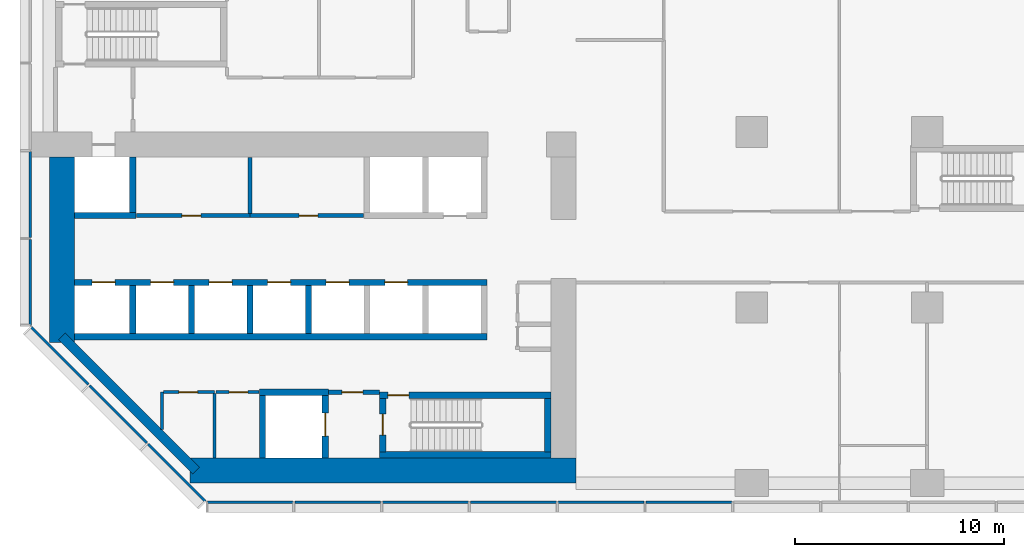
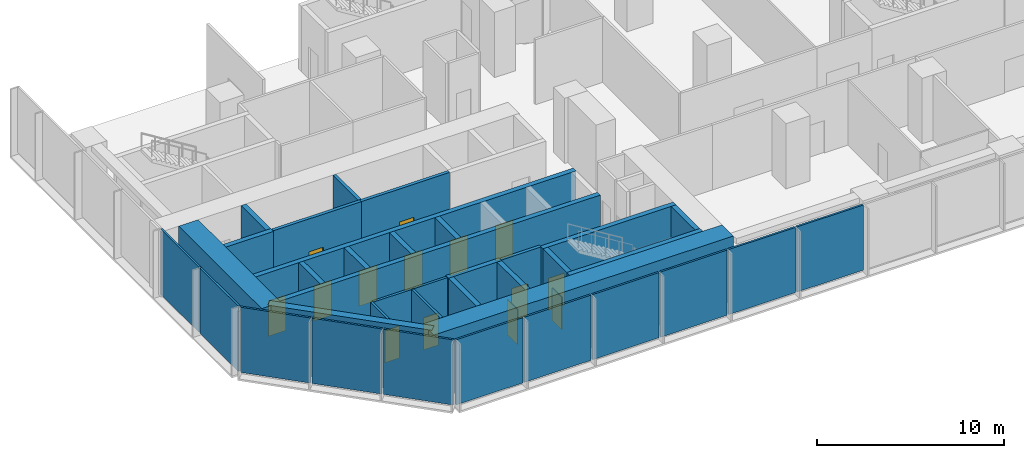
# One storey, part 9 of 18: 37 walls, 14 doors, 14 openings.
"""IFC4 building model written with IfcOpenShell, lengths in metres."""

from ifc_helpers import new_model, si_unit, direction, frame, frame_2d, origin, place, context, subcontext, project, spatial, polyline, rectangle, outline, extrude, material, layer, layer_set, type_object, element, fill, save


model = new_model("IFC4")

# Units and contexts
model_context = context("Model", 3, precision=1e-05, world=origin(), true_north=direction((0.0, 1.0)))
body_context = subcontext(model_context, "Body", "Model", "MODEL_VIEW")
ifc_project = project(units=[si_unit("LENGTHUNIT", "METRE"), si_unit("AREAUNIT", "SQUARE_METRE"), si_unit("VOLUMEUNIT", "CUBIC_METRE"), si_unit("PLANEANGLEUNIT", "RADIAN"), si_unit("MASSUNIT", "GRAM", prefix="KILO")], contexts=[model_context])

# Site, building, storey
site_placement = place(None, origin())
site = spatial("IfcSite", under=ifc_project, at=site_placement, CompositionType="ELEMENT")
building_placement = place(site_placement, origin())
building = spatial("IfcBuilding", under=site, at=building_placement, Name="Brevane Broadcast Tower", CompositionType="ELEMENT")
storey_placement = place(building_placement, frame((0.0, 0.0, 27.5)))
storey = spatial("IfcBuildingStorey", under=building, at=storey_placement, Name="L04", CompositionType="ELEMENT", Elevation=27.5)

# Wall
ifc_material_1 = material(Name="Gypsum board on steel studs", Category="steel")
ifc_layer_1 = layer(ifc_material_1, 0.14990234375)
ifc_layer_set_1 = layer_set([ifc_layer_1], Name="Core fire partition 150 mm")
wall_type_1 = type_object("IfcWallType", Name="Core fire partition 150 mm", PredefinedType="PARTITIONING", material=ifc_layer_set_1)
wall_1_placement = place(storey_placement, frame((5.39990234375, 2.553466796875, 0.0), z_axis=(0.0, 0.0, 1.0), x_axis=(0.0, 1.0, 0.0)))
element("IfcWall", 1, at=wall_1_placement, inside=storey, type_object=wall_type_1, Name="L04 partition wall P10", PredefinedType="PARTITIONING", context=body_context, shape_type="SweptSolid", body=[
    extrude(rectangle(XDim=1.796630859375, YDim=0.14990234375, at=frame_2d((0.8984375, 0.0))), origin(), (0.0, 0.0, 1.0), 4.25),
])

# Wall, opening, door
wall_2_placement = place(storey_placement, frame((5.47509765625, 4.35009765625, 0.0), z_axis=(0.0, 0.0, 1.0), x_axis=(1.0, 0.0, 0.0)))
wall_2 = element("IfcWall", 2, at=wall_2_placement, inside=storey, type_object=wall_type_1, Name="L04 partition wall P11", PredefinedType="PARTITIONING", context=body_context, shape_type="SweptSolid", body=[
    extrude(rectangle(XDim=2.4248046875, YDim=0.14990234375, at=frame_2d((1.21240234375, 0.0))), origin(), (0.0, 0.0, 1.0), 4.25),
])
opening_1_placement = place(wall_2_placement, frame((0.72509765625, 0.0, 0.0)))
opening_1 = element("IfcOpeningElement", 3, at=opening_1_placement, cuts=wall_2, Name="Opening L04-K19", PredefinedType="OPENING", context=body_context, shape_type="SweptSolid", body=[
    extrude(rectangle(XDim=0.89990234375, YDim=2.10009765625, at=frame_2d((0.449951171875, 1.050048828125))), frame((0.0, 0.0849609375, 0.0), z_axis=(0.0, -1.0, 0.0), x_axis=(1.0, 0.0, 0.0)), (0.0, 0.0, 1.0), 0.169921875),
])
ifc_material_2 = material(Name="Timber", Category="wood")
door_type_1 = type_object("IfcDoorType", Name="Toilet door 900 x 2100", OperationType="SINGLE_SWING_LEFT", PredefinedType="DOOR", material=ifc_material_2)
door_1_placement = place(opening_1_placement, origin())
door_1 = element("IfcDoor", 4, at=door_1_placement, inside=storey, type_object=door_type_1, Name="Door L04-K19", OperationType="SINGLE_SWING_LEFT", OverallHeight=2.10009765625, OverallWidth=0.89990234375, PredefinedType="DOOR", context=body_context, shape_type="SweptSolid", body=[
    extrude(rectangle(XDim=0.89990234375, YDim=2.10009765625, at=frame_2d((0.449951171875, 1.050048828125))), frame((0.0, 0.02490234375, 0.0), z_axis=(0.0, -1.0, 0.0), x_axis=(1.0, 0.0, 0.0)), (0.0, 0.0, 1.0), 0.050048828125),
])
fill(opening_1, door_1)

# Wall
wall_3_placement = place(storey_placement, frame((7.89990234375, 4.27490234375, 0.0), z_axis=(0.0, 0.0, 1.0), x_axis=(0.0, -1.0, 0.0)))
element("IfcWall", 5, at=wall_3_placement, inside=storey, type_object=wall_type_1, Name="L04 partition wall P12", PredefinedType="PARTITIONING", context=body_context, shape_type="SweptSolid", body=[
    extrude(rectangle(XDim=3.06298828125, YDim=0.14990234375, at=frame_2d((1.531494140625, 0.0))), origin(), (0.0, 0.0, 1.0), 4.25),
])

# Wall, opening, door
wall_4_placement = place(storey_placement, frame((10.0380859375, 4.35009765625, 0.0), z_axis=(0.0, 0.0, 1.0), x_axis=(-1.0, 0.0, 0.0)))
wall_4 = element("IfcWall", 6, at=wall_4_placement, inside=storey, type_object=wall_type_1, Name="L04 partition wall P13", PredefinedType="PARTITIONING", context=body_context, shape_type="SweptSolid", body=[
    extrude(rectangle(XDim=2.06298828125, YDim=0.14990234375, at=frame_2d((1.031494140625, 0.0))), origin(), (0.0, 0.0, 1.0), 4.25),
])
opening_2_placement = place(wall_4_placement, frame((0.5380859375, 0.0, 0.0)))
opening_2 = element("IfcOpeningElement", 7, at=opening_2_placement, cuts=wall_4, Name="Opening L04-K20", PredefinedType="OPENING", context=body_context, shape_type="SweptSolid", body=[
    extrude(rectangle(XDim=0.89990234375, YDim=2.10009765625, at=frame_2d((0.449951171875, 1.050048828125))), frame((0.0, 0.0849609375, 0.0), z_axis=(0.0, -1.0, 0.0), x_axis=(1.0, 0.0, 0.0)), (0.0, 0.0, 1.0), 0.169921875),
])
door_2_placement = place(opening_2_placement, origin())
door_2 = element("IfcDoor", 8, at=door_2_placement, inside=storey, type_object=door_type_1, Name="Door L04-K20", OperationType="SINGLE_SWING_RIGHT", OverallHeight=2.10009765625, OverallWidth=0.89990234375, PredefinedType="DOOR", context=body_context, shape_type="SweptSolid", body=[
    extrude(rectangle(XDim=0.89990234375, YDim=2.10009765625, at=frame_2d((0.449951171875, 1.050048828125))), frame((0.0, 0.02490234375, 0.0), z_axis=(0.0, -1.0, 0.0), x_axis=(1.0, 0.0, 0.0)), (0.0, 0.0, 1.0), 0.050048828125),
])
fill(opening_2, door_2)

ifc_layer_2 = layer(ifc_material_1, 0.199951171875)
ifc_layer_set_2 = layer_set([ifc_layer_2], Name="Core fire partition 200 mm")
wall_type_2 = type_object("IfcWallType", Name="Core fire partition 200 mm", PredefinedType="PARTITIONING", material=ifc_layer_set_2)
wall_5_placement = place(storey_placement, frame((13.362060546875, 4.35009765625, 0.0), z_axis=(0.0, 0.0, 1.0), x_axis=(1.0, 0.0, 0.0)))
wall_5 = element("IfcWall", 9, at=wall_5_placement, inside=storey, type_object=wall_type_2, Name="L04 partition wall P03", PredefinedType="PARTITIONING", context=body_context, shape_type="SweptSolid", body=[
    extrude(rectangle(XDim=2.426025390625, YDim=0.199951171875, at=frame_2d((1.212890625, 0.0))), origin(), (0.0, 0.0, 1.0), 4.25),
])
opening_3_placement = place(wall_5_placement, frame((0.637939453125, 0.0, 0.0)))
opening_3 = element("IfcOpeningElement", 10, at=opening_3_placement, cuts=wall_5, Name="Opening L04-K21", PredefinedType="OPENING", context=body_context, shape_type="SweptSolid", body=[
    extrude(rectangle(XDim=1.0, YDim=2.10009765625, at=frame_2d((0.5, 1.050048828125))), frame((0.0, 0.10986328125, 0.0), z_axis=(0.0, -1.0, 0.0), x_axis=(1.0, 0.0, 0.0)), (0.0, 0.0, 1.0), 0.219970703125),
])
ifc_material_3 = material(Name="Steel", Category="steel")
door_type_2 = type_object("IfcDoorType", Name="Stair door 1000 x 2100", OperationType="SINGLE_SWING_LEFT", PredefinedType="DOOR", material=ifc_material_3)
door_3_placement = place(opening_3_placement, origin())
door_3 = element("IfcDoor", 11, at=door_3_placement, inside=storey, type_object=door_type_2, Name="Door L04-K21", OperationType="SINGLE_SWING_LEFT", OverallHeight=2.10009765625, OverallWidth=1.0, PredefinedType="DOOR", context=body_context, shape_type="SweptSolid", body=[
    extrude(rectangle(XDim=1.0, YDim=2.10009765625, at=frame_2d((0.5, 1.050048828125))), frame((0.0, 0.02490234375, 0.0), z_axis=(0.0, -1.0, 0.0), x_axis=(1.0, 0.0, 0.0)), (0.0, 0.0, 1.0), 0.050048828125),
])
fill(opening_3, door_3)

wall_6_placement = place(storey_placement, frame((4.162109375, 12.800048828125, 0.0), z_axis=(0.0, 0.0, 1.0), x_axis=(1.0, 0.0, 0.0)))
wall_6 = element("IfcWall", 12, at=wall_6_placement, inside=storey, type_object=wall_type_2, Name="L04 partition wall P04", PredefinedType="PARTITIONING", context=body_context, shape_type="SweptSolid", body=[
    extrude(rectangle(XDim=5.43798828125, YDim=0.199951171875, at=frame_2d((2.718994140625, 0.0))), origin(), (0.0, 0.0, 1.0), 4.25),
])
opening_4_placement = place(wall_6_placement, frame((2.18798828125, 0.0, 0.0)))
opening_4 = element("IfcOpeningElement", 13, at=opening_4_placement, cuts=wall_6, Name="Opening L04-K24", PredefinedType="OPENING", context=body_context, shape_type="SweptSolid", body=[
    extrude(rectangle(XDim=0.89990234375, YDim=2.10009765625, at=frame_2d((0.449951171875, 1.050048828125))), frame((0.0, 0.10986328125, 0.0), z_axis=(0.0, -1.0, 0.0), x_axis=(1.0, 0.0, 0.0)), (0.0, 0.0, 1.0), 0.219970703125),
])
door_type_3 = type_object("IfcDoorType", Name="Service room door 900 x 2100", OperationType="SINGLE_SWING_LEFT", PredefinedType="DOOR", material=ifc_material_3)
door_4_placement = place(opening_4_placement, origin())
door_4 = element("IfcDoor", 14, at=door_4_placement, inside=storey, type_object=door_type_3, Name="Door L04-K24", OperationType="SINGLE_SWING_RIGHT", OverallHeight=2.10009765625, OverallWidth=0.89990234375, PredefinedType="DOOR", context=body_context, shape_type="SweptSolid", body=[
    extrude(rectangle(XDim=0.89990234375, YDim=2.10009765625, at=frame_2d((0.449951171875, 1.050048828125))), frame((0.0, 0.02490234375, 0.0), z_axis=(0.0, -1.0, 0.0), x_axis=(1.0, 0.0, 0.0)), (0.0, 0.0, 1.0), 0.050048828125),
])
fill(opening_4, door_4)

wall_7_placement = place(storey_placement, frame((9.60009765625, 12.800048828125, 0.0), z_axis=(0.0, 0.0, 1.0), x_axis=(1.0, 0.0, 0.0)))
wall_7 = element("IfcWall", 15, at=wall_7_placement, inside=storey, type_object=wall_type_2, Name="L04 partition wall P05", PredefinedType="PARTITIONING", context=body_context, shape_type="SweptSolid", body=[
    extrude(rectangle(XDim=5.43798828125, YDim=0.199951171875, at=frame_2d((2.718994140625, 0.0))), origin(), (0.0, 0.0, 1.0), 4.25),
])
opening_5_placement = place(wall_7_placement, frame((2.35009765625, 0.0, 0.0)))
opening_5 = element("IfcOpeningElement", 16, at=opening_5_placement, cuts=wall_7, Name="Opening L04-K25", PredefinedType="OPENING", context=body_context, shape_type="SweptSolid", body=[
    extrude(rectangle(XDim=0.89990234375, YDim=2.10009765625, at=frame_2d((0.449951171875, 1.050048828125))), frame((0.0, 0.10986328125, 0.0), z_axis=(0.0, -1.0, 0.0), x_axis=(1.0, 0.0, 0.0)), (0.0, 0.0, 1.0), 0.219970703125),
])
door_5_placement = place(opening_5_placement, origin())
door_5 = element("IfcDoor", 17, at=door_5_placement, inside=storey, type_object=door_type_3, Name="Door L04-K25", OperationType="SINGLE_SWING_LEFT", OverallHeight=2.10009765625, OverallWidth=0.89990234375, PredefinedType="DOOR", context=body_context, shape_type="SweptSolid", body=[
    extrude(rectangle(XDim=0.89990234375, YDim=2.10009765625, at=frame_2d((0.449951171875, 1.050048828125))), frame((0.0, 0.02490234375, 0.0), z_axis=(0.0, -1.0, 0.0), x_axis=(1.0, 0.0, 0.0)), (0.0, 0.0, 1.0), 0.050048828125),
])
fill(opening_5, door_5)

# Walls
wall_8_placement = place(storey_placement, frame((9.60009765625, 15.587890625, 0.0), z_axis=(0.0, 0.0, 1.0), x_axis=(0.0, -1.0, 0.0)))
element("IfcWall", 18, at=wall_8_placement, inside=storey, type_object=wall_type_2, Name="L04 partition wall P06", PredefinedType="PARTITIONING", context=body_context, shape_type="SweptSolid", body=[
    extrude(rectangle(XDim=2.68798828125, YDim=0.199951171875, at=frame_2d((1.343994140625, 0.0))), origin(), (0.0, 0.0, 1.0), 4.25),
])
ifc_material_4 = material(Name="Concrete C80/95", Category="concrete")
ifc_layer_3 = layer(ifc_material_4, 1.199951171875)
ifc_layer_set_3 = layer_set([ifc_layer_3], Name="Core wall 1200 mm C80/95")
wall_type_3 = type_object("IfcWallType", Name="Core wall 1200 mm C80/95", PredefinedType="SHEAR", material=ifc_layer_set_3)
wall_9_placement = place(storey_placement, frame((6.736328125, 0.60009765625, 0.0), z_axis=(0.0, 0.0, 1.0), x_axis=(1.0, 0.0, 0.0)))
element("IfcWall", 19, at=wall_9_placement, inside=storey, type_object=wall_type_3, Name="L04 outer wall WS", PredefinedType="SHEAR", context=body_context, shape_type="SweptSolid", body=[
    extrude(rectangle(XDim=18.463623046875, YDim=1.199951171875, at=frame_2d((9.23193359375, 0.0))), origin(), (0.0, 0.0, 1.0), 4.25),
])
wall_10_placement = place(storey_placement, frame((0.60009765625, 6.736328125, 0.0), z_axis=(0.0, 0.0, 1.0), x_axis=(0.0, 1.0, 0.0)))
element("IfcWall", 20, at=wall_10_placement, inside=storey, type_object=wall_type_3, Name="L04 outer wall WW", PredefinedType="SHEAR", context=body_context, shape_type="SweptSolid", body=[
    extrude(rectangle(XDim=8.86376953125, YDim=1.199951171875, at=frame_2d((4.431884765625, 0.0))), origin(), (0.0, 0.0, 1.0), 4.25),
])
ifc_layer_4 = layer(ifc_material_4, 0.300048828125)
ifc_layer_set_4 = layer_set([ifc_layer_4], Name="Core wall 300 mm C80/95")
wall_type_4 = type_object("IfcWallType", Name="Core wall 300 mm C80/95", PredefinedType="SHEAR", material=ifc_layer_set_4)
wall_11_placement = place(storey_placement, frame((1.199951171875, 7.0, 0.0), z_axis=(0.0, 0.0, 1.0), x_axis=(1.0, 0.0, 0.0)))
element("IfcWall", 21, at=wall_11_placement, inside=storey, type_object=wall_type_4, Name="L04 shaft wall SH-S012-back", PredefinedType="SHEAR", context=body_context, shape_type="SweptSolid", body=[
    extrude(rectangle(XDim=19.75, YDim=0.300048828125, at=frame_2d((9.875, 0.0))), origin(), (0.0, 0.0, 1.0), 4.25),
])

# Wall, openings, doors
wall_12_placement = place(storey_placement, frame((1.199951171875, 9.60009765625, 0.0), z_axis=(0.0, 0.0, 1.0), x_axis=(1.0, 0.0, 0.0)))
wall_12 = element("IfcWall", 22, at=wall_12_placement, inside=storey, type_object=wall_type_4, Name="L04 shaft wall SH-S012-front", PredefinedType="SHEAR", context=body_context, shape_type="SweptSolid", body=[
    extrude(rectangle(XDim=19.75, YDim=0.300048828125, at=frame_2d((9.875, 0.0))), origin(), (0.0, 0.0, 1.0), 4.25),
])
opening_6_placement = place(wall_12_placement, frame((0.85009765625, 0.0, 0.0)))
opening_6 = element("IfcOpeningElement", 23, at=opening_6_placement, cuts=wall_12, Name="Opening LD", PredefinedType="OPENING", context=body_context, shape_type="SweptSolid", body=[
    extrude(rectangle(XDim=1.10009765625, YDim=2.300048828125, at=frame_2d((0.550048828125, 1.14990234375))), frame((0.0, 0.159912109375, 0.0), z_axis=(0.0, -1.0, 0.0), x_axis=(1.0, 0.0, 0.0)), (0.0, 0.0, 1.0), 0.320068359375),
])
opening_7_placement = place(wall_12_placement, frame((3.64990234375, 0.0, 0.0)))
opening_7 = element("IfcOpeningElement", 24, at=opening_7_placement, cuts=wall_12, Name="Opening LD", PredefinedType="OPENING", context=body_context, shape_type="SweptSolid", body=[
    extrude(rectangle(XDim=1.10009765625, YDim=2.300048828125, at=frame_2d((0.550048828125, 1.14990234375))), frame((0.0, 0.159912109375, 0.0), z_axis=(0.0, -1.0, 0.0), x_axis=(1.0, 0.0, 0.0)), (0.0, 0.0, 1.0), 0.320068359375),
])
opening_8_placement = place(wall_12_placement, frame((6.449951171875, 0.0, 0.0)))
opening_8 = element("IfcOpeningElement", 25, at=opening_8_placement, cuts=wall_12, Name="Opening LD", PredefinedType="OPENING", context=body_context, shape_type="SweptSolid", body=[
    extrude(rectangle(XDim=1.10009765625, YDim=2.300048828125, at=frame_2d((0.550048828125, 1.14990234375))), frame((0.0, 0.159912109375, 0.0), z_axis=(0.0, -1.0, 0.0), x_axis=(1.0, 0.0, 0.0)), (0.0, 0.0, 1.0), 0.320068359375),
])
opening_9_placement = place(wall_12_placement, frame((9.25, 0.0, 0.0)))
opening_9 = element("IfcOpeningElement", 26, at=opening_9_placement, cuts=wall_12, Name="Opening LD", PredefinedType="OPENING", context=body_context, shape_type="SweptSolid", body=[
    extrude(rectangle(XDim=1.10009765625, YDim=2.300048828125, at=frame_2d((0.550048828125, 1.14990234375))), frame((0.0, 0.159912109375, 0.0), z_axis=(0.0, -1.0, 0.0), x_axis=(1.0, 0.0, 0.0)), (0.0, 0.0, 1.0), 0.320068359375),
])
opening_10_placement = place(wall_12_placement, frame((12.050048828125, 0.0, 0.0)))
opening_10 = element("IfcOpeningElement", 27, at=opening_10_placement, cuts=wall_12, Name="Opening LD", PredefinedType="OPENING", context=body_context, shape_type="SweptSolid", body=[
    extrude(rectangle(XDim=1.10009765625, YDim=2.300048828125, at=frame_2d((0.550048828125, 1.14990234375))), frame((0.0, 0.159912109375, 0.0), z_axis=(0.0, -1.0, 0.0), x_axis=(1.0, 0.0, 0.0)), (0.0, 0.0, 1.0), 0.320068359375),
])
opening_11_placement = place(wall_12_placement, frame((14.85009765625, 0.0, 0.0)))
opening_11 = element("IfcOpeningElement", 28, at=opening_11_placement, cuts=wall_12, Name="Opening LD", PredefinedType="OPENING", context=body_context, shape_type="SweptSolid", body=[
    extrude(rectangle(XDim=1.10009765625, YDim=2.300048828125, at=frame_2d((0.550048828125, 1.14990234375))), frame((0.0, 0.159912109375, 0.0), z_axis=(0.0, -1.0, 0.0), x_axis=(1.0, 0.0, 0.0)), (0.0, 0.0, 1.0), 0.320068359375),
])
ifc_material_5 = material(Name="Stainless steel", Category="steel")
door_type_4 = type_object("IfcDoorType", Name="Lift landing door", OperationType="SLIDING_TO_LEFT", PredefinedType="DOOR", material=ifc_material_5)
door_6_placement = place(opening_6_placement, origin())
door_6 = element("IfcDoor", 29, at=door_6_placement, inside=storey, type_object=door_type_4, Name="Landing door LR1 L04", OperationType="SLIDING_TO_LEFT", OverallHeight=2.300048828125, OverallWidth=1.10009765625, PredefinedType="DOOR", context=body_context, shape_type="SweptSolid", body=[
    extrude(rectangle(XDim=1.10009765625, YDim=2.300048828125, at=frame_2d((0.550048828125, 1.14990234375))), frame((0.0, 0.02490234375, 0.0), z_axis=(0.0, -1.0, 0.0), x_axis=(1.0, 0.0, 0.0)), (0.0, 0.0, 1.0), 0.050048828125),
])
fill(opening_6, door_6)
door_7_placement = place(opening_7_placement, origin())
door_7 = element("IfcDoor", 30, at=door_7_placement, inside=storey, type_object=door_type_4, Name="Landing door LR2 L04", OperationType="SLIDING_TO_LEFT", OverallHeight=2.300048828125, OverallWidth=1.10009765625, PredefinedType="DOOR", context=body_context, shape_type="SweptSolid", body=[
    extrude(rectangle(XDim=1.10009765625, YDim=2.300048828125, at=frame_2d((0.550048828125, 1.14990234375))), frame((0.0, 0.02490234375, 0.0), z_axis=(0.0, -1.0, 0.0), x_axis=(1.0, 0.0, 0.0)), (0.0, 0.0, 1.0), 0.050048828125),
])
fill(opening_7, door_7)
door_8_placement = place(opening_8_placement, origin())
door_8 = element("IfcDoor", 31, at=door_8_placement, inside=storey, type_object=door_type_4, Name="Landing door LR3 L04", OperationType="SLIDING_TO_LEFT", OverallHeight=2.300048828125, OverallWidth=1.10009765625, PredefinedType="DOOR", context=body_context, shape_type="SweptSolid", body=[
    extrude(rectangle(XDim=1.10009765625, YDim=2.300048828125, at=frame_2d((0.550048828125, 1.14990234375))), frame((0.0, 0.02490234375, 0.0), z_axis=(0.0, -1.0, 0.0), x_axis=(1.0, 0.0, 0.0)), (0.0, 0.0, 1.0), 0.050048828125),
])
fill(opening_8, door_8)
door_9_placement = place(opening_9_placement, origin())
door_9 = element("IfcDoor", 32, at=door_9_placement, inside=storey, type_object=door_type_4, Name="Landing door LR4 L04", OperationType="SLIDING_TO_LEFT", OverallHeight=2.300048828125, OverallWidth=1.10009765625, PredefinedType="DOOR", context=body_context, shape_type="SweptSolid", body=[
    extrude(rectangle(XDim=1.10009765625, YDim=2.300048828125, at=frame_2d((0.550048828125, 1.14990234375))), frame((0.0, 0.02490234375, 0.0), z_axis=(0.0, -1.0, 0.0), x_axis=(1.0, 0.0, 0.0)), (0.0, 0.0, 1.0), 0.050048828125),
])
fill(opening_9, door_9)
door_10_placement = place(opening_10_placement, origin())
door_10 = element("IfcDoor", 33, at=door_10_placement, inside=storey, type_object=door_type_4, Name="Landing door LR5 L04", OperationType="SLIDING_TO_LEFT", OverallHeight=2.300048828125, OverallWidth=1.10009765625, PredefinedType="DOOR", context=body_context, shape_type="SweptSolid", body=[
    extrude(rectangle(XDim=1.10009765625, YDim=2.300048828125, at=frame_2d((0.550048828125, 1.14990234375))), frame((0.0, 0.02490234375, 0.0), z_axis=(0.0, -1.0, 0.0), x_axis=(1.0, 0.0, 0.0)), (0.0, 0.0, 1.0), 0.050048828125),
])
fill(opening_10, door_10)
door_11_placement = place(opening_11_placement, origin())
door_11 = element("IfcDoor", 34, at=door_11_placement, inside=storey, type_object=door_type_4, Name="Landing door LR6 L04", OperationType="SLIDING_TO_LEFT", OverallHeight=2.300048828125, OverallWidth=1.10009765625, PredefinedType="DOOR", context=body_context, shape_type="SweptSolid", body=[
    extrude(rectangle(XDim=1.10009765625, YDim=2.300048828125, at=frame_2d((0.550048828125, 1.14990234375))), frame((0.0, 0.02490234375, 0.0), z_axis=(0.0, -1.0, 0.0), x_axis=(1.0, 0.0, 0.0)), (0.0, 0.0, 1.0), 0.050048828125),
])
fill(opening_11, door_11)

# Walls
for number, where, z_axis, x_axis, name in (
    (35, (4.0, 7.14990234375, 0.0), (0.0, 0.0, 1.0), (0.0, 1.0, 0.0), "L04 shaft wall SH-S-P040"),
    (36, (6.800048828125, 7.14990234375, 0.0), (0.0, 0.0, 1.0), (0.0, 1.0, 0.0), "L04 shaft wall SH-S-P068"),
    (37, (9.60009765625, 7.14990234375, 0.0), (0.0, 0.0, 1.0), (0.0, 1.0, 0.0), "L04 shaft wall SH-S-P096"),
    (38, (12.39990234375, 7.14990234375, 0.0), (0.0, 0.0, 1.0), (0.0, 1.0, 0.0), "L04 shaft wall SH-S-P124"),
):
    element("IfcWall", number, at=place(storey_placement, frame(where, z_axis=z_axis, x_axis=x_axis)), inside=storey, type_object=wall_type_4, Name=name, PredefinedType="SHEAR", context=body_context, shape_type="SweptSolid", body=[
        extrude(rectangle(XDim=2.300048828125, YDim=0.300048828125, at=frame_2d((1.14990234375, 0.0))), origin(), (0.0, 0.0, 1.0), 4.25),
    ])
wall_13_placement = place(storey_placement, frame((1.199951171875, 12.800048828125, 0.0), z_axis=(0.0, 0.0, 1.0), x_axis=(1.0, 0.0, 0.0)))
element("IfcWall", 39, at=wall_13_placement, inside=storey, type_object=wall_type_4, Name="L04 shaft wall SH-N012-front", PredefinedType="SHEAR", context=body_context, shape_type="SweptSolid", body=[
    extrude(rectangle(XDim=2.949951171875, YDim=0.300048828125, at=frame_2d((1.47509765625, 0.0))), origin(), (0.0, 0.0, 1.0), 4.25),
])
wall_14_placement = place(storey_placement, frame((4.0, 12.949951171875, 0.0), z_axis=(0.0, 0.0, 1.0), x_axis=(0.0, 1.0, 0.0)))
element("IfcWall", 40, at=wall_14_placement, inside=storey, type_object=wall_type_4, Name="L04 shaft wall SH-N-P040", PredefinedType="SHEAR", context=body_context, shape_type="SweptSolid", body=[
    extrude(rectangle(XDim=2.650146484375, YDim=0.300048828125, at=frame_2d((1.3251953125, 0.0))), origin(), (0.0, 0.0, 1.0), 4.25),
])
wall_15_placement = place(storey_placement, frame((10.199951171875, 1.199951171875, 0.0), z_axis=(0.0, 0.0, 1.0), x_axis=(0.0, 1.0, 0.0)))
element("IfcWall", 41, at=wall_15_placement, inside=storey, type_object=wall_type_4, Name="L04 shaft wall FF2-W", PredefinedType="SHEAR", context=body_context, shape_type="SweptSolid", body=[
    extrude(rectangle(XDim=3.0, YDim=0.300048828125, at=frame_2d((1.5, 0.0))), origin(), (0.0, 0.0, 1.0), 4.25),
])

# Wall, opening, door
wall_16_placement = place(storey_placement, frame((13.199951171875, 1.199951171875, 0.0), z_axis=(0.0, 0.0, 1.0), x_axis=(0.0, 1.0, 0.0)))
wall_16 = element("IfcWall", 42, at=wall_16_placement, inside=storey, type_object=wall_type_4, Name="L04 shaft wall FF2-E", PredefinedType="SHEAR", context=body_context, shape_type="SweptSolid", body=[
    extrude(rectangle(XDim=3.0, YDim=0.300048828125, at=frame_2d((1.5, 0.0))), origin(), (0.0, 0.0, 1.0), 4.25),
])
opening_12_placement = place(wall_16_placement, frame((1.050048828125, 0.0, 0.0)))
opening_12 = element("IfcOpeningElement", 43, at=opening_12_placement, cuts=wall_16, Name="Opening LD", PredefinedType="OPENING", context=body_context, shape_type="SweptSolid", body=[
    extrude(rectangle(XDim=1.10009765625, YDim=2.300048828125, at=frame_2d((0.550048828125, 1.14990234375))), frame((0.0, 0.159912109375, 0.0), z_axis=(0.0, -1.0, 0.0), x_axis=(1.0, 0.0, 0.0)), (0.0, 0.0, 1.0), 0.320068359375),
])
door_12_placement = place(opening_12_placement, origin())
door_12 = element("IfcDoor", 44, at=door_12_placement, inside=storey, type_object=door_type_4, Name="Landing door FF2 L04", OperationType="SLIDING_TO_LEFT", OverallHeight=2.300048828125, OverallWidth=1.10009765625, PredefinedType="DOOR", context=body_context, shape_type="SweptSolid", body=[
    extrude(rectangle(XDim=1.10009765625, YDim=2.300048828125, at=frame_2d((0.550048828125, 1.14990234375))), frame((0.0, 0.02490234375, 0.0), z_axis=(0.0, -1.0, 0.0), x_axis=(1.0, 0.0, 0.0)), (0.0, 0.0, 1.0), 0.050048828125),
])
fill(opening_12, door_12)

# Walls
wall_17_placement = place(storey_placement, frame((10.050048828125, 4.35009765625, 0.0), z_axis=(0.0, 0.0, 1.0), x_axis=(1.0, 0.0, 0.0)))
element("IfcWall", 45, at=wall_17_placement, inside=storey, type_object=wall_type_4, Name="L04 shaft wall FF2-N", PredefinedType="SHEAR", context=body_context, shape_type="SweptSolid", body=[
    extrude(rectangle(XDim=3.300048828125, YDim=0.300048828125, at=frame_2d((1.64990234375, 0.0))), origin(), (0.0, 0.0, 1.0), 4.25),
])
wall_18_placement = place(storey_placement, frame((15.800048828125, 1.35009765625, 0.0), z_axis=(0.0, 0.0, 1.0), x_axis=(1.0, 0.0, 0.0)))
element("IfcWall", 46, at=wall_18_placement, inside=storey, type_object=wall_type_4, Name="L04 stair wall ST-2-S", PredefinedType="SHEAR", context=body_context, shape_type="SweptSolid", body=[
    extrude(rectangle(XDim=8.199951171875, YDim=0.300048828125, at=frame_2d((4.10009765625, 0.0))), origin(), (0.0, 0.0, 1.0), 4.25),
])

# Wall, opening, door
wall_19_placement = place(storey_placement, frame((15.800048828125, 4.199951171875, 0.0), z_axis=(0.0, 0.0, 1.0), x_axis=(1.0, 0.0, 0.0)))
wall_19 = element("IfcWall", 47, at=wall_19_placement, inside=storey, type_object=wall_type_4, Name="L04 stair wall ST-2-N", PredefinedType="SHEAR", context=body_context, shape_type="SweptSolid", body=[
    extrude(rectangle(XDim=8.199951171875, YDim=0.300048828125, at=frame_2d((4.10009765625, 0.0))), origin(), (0.0, 0.0, 1.0), 4.25),
])
opening_13_placement = place(wall_19_placement, frame((0.39990234375, 0.0, 0.0)))
opening_13 = element("IfcOpeningElement", 48, at=opening_13_placement, cuts=wall_19, Name="Opening L04-K14", PredefinedType="OPENING", context=body_context, shape_type="SweptSolid", body=[
    extrude(rectangle(XDim=1.0, YDim=2.10009765625, at=frame_2d((0.5, 1.050048828125))), frame((0.0, 0.159912109375, 0.0), z_axis=(0.0, -1.0, 0.0), x_axis=(1.0, 0.0, 0.0)), (0.0, 0.0, 1.0), 0.320068359375),
])
door_13_placement = place(opening_13_placement, origin())
door_13 = element("IfcDoor", 49, at=door_13_placement, inside=storey, type_object=door_type_2, Name="Door L04-K14", OperationType="SINGLE_SWING_RIGHT", OverallHeight=2.10009765625, OverallWidth=1.0, PredefinedType="DOOR", context=body_context, shape_type="SweptSolid", body=[
    extrude(rectangle(XDim=1.0, YDim=2.10009765625, at=frame_2d((0.5, 1.050048828125))), frame((0.0, 0.02490234375, 0.0), z_axis=(0.0, -1.0, 0.0), x_axis=(1.0, 0.0, 0.0)), (0.0, 0.0, 1.0), 0.050048828125),
])
fill(opening_13, door_13)

wall_20_placement = place(storey_placement, frame((15.949951171875, 1.5, 0.0), z_axis=(0.0, 0.0, 1.0), x_axis=(0.0, 1.0, 0.0)))
wall_20 = element("IfcWall", 50, at=wall_20_placement, inside=storey, type_object=wall_type_4, Name="L04 stair wall ST-2-W", PredefinedType="SHEAR", context=body_context, shape_type="SweptSolid", body=[
    extrude(rectangle(XDim=2.550048828125, YDim=0.300048828125, at=frame_2d((1.27490234375, 0.0))), origin(), (0.0, 0.0, 1.0), 4.25),
])
opening_14_placement = place(wall_20_placement, frame((0.800048828125, 0.0, 0.0)))
opening_14 = element("IfcOpeningElement", 51, at=opening_14_placement, cuts=wall_20, Name="Opening L04-K13", PredefinedType="OPENING", context=body_context, shape_type="SweptSolid", body=[
    extrude(rectangle(XDim=1.0, YDim=2.10009765625, at=frame_2d((0.5, 1.050048828125))), frame((0.0, 0.159912109375, 0.0), z_axis=(0.0, -1.0, 0.0), x_axis=(1.0, 0.0, 0.0)), (0.0, 0.0, 1.0), 0.320068359375),
])
door_14_placement = place(opening_14_placement, origin())
door_14 = element("IfcDoor", 52, at=door_14_placement, inside=storey, type_object=door_type_2, Name="Door L04-K13", OperationType="SINGLE_SWING_LEFT", OverallHeight=2.10009765625, OverallWidth=1.0, PredefinedType="DOOR", context=body_context, shape_type="SweptSolid", body=[
    extrude(rectangle(XDim=1.0, YDim=2.10009765625, at=frame_2d((0.5, 1.050048828125))), frame((0.0, 0.02490234375, 0.0), z_axis=(0.0, -1.0, 0.0), x_axis=(1.0, 0.0, 0.0)), (0.0, 0.0, 1.0), 0.050048828125),
])
fill(opening_14, door_14)

# Walls
wall_21_placement = place(storey_placement, frame((23.85009765625, 1.5, 0.0), z_axis=(0.0, 0.0, 1.0), x_axis=(0.0, 1.0, 0.0)))
element("IfcWall", 53, at=wall_21_placement, inside=storey, type_object=wall_type_4, Name="L04 stair wall ST-2-E", PredefinedType="SHEAR", context=body_context, shape_type="SweptSolid", body=[
    extrude(rectangle(XDim=2.550048828125, YDim=0.300048828125, at=frame_2d((1.27490234375, 0.0))), origin(), (0.0, 0.0, 1.0), 4.25),
])
ifc_layer_5 = layer(ifc_material_4, 0.449951171875)
ifc_layer_set_5 = layer_set([ifc_layer_5], Name="Core wall 450 mm C80/95")
wall_type_5 = type_object("IfcWallType", Name="Core wall 450 mm C80/95", PredefinedType="SHEAR", material=ifc_layer_set_5)
wall_22_placement = place(storey_placement, frame((0.60009765625, 7.018310546875, 0.0), z_axis=(0.0, 0.0, 1.0), x_axis=(0.707106781187, -0.707106781187, 0.0)))
element("IfcWall", 54, at=wall_22_placement, inside=storey, type_object=wall_type_5, Name="L04 outer wall WC", PredefinedType="SHEAR", context=body_context, shape_type="SweptSolid", body=[
    extrude(rectangle(XDim=9.07666015625, YDim=0.449951171875, at=frame_2d((4.538330078125, 0.0))), origin(), (0.0, 0.0, 1.0), 4.25),
])
ifc_material_6 = material(Name="Precast concrete C40/50", Category="concrete")
ifc_layer_6 = layer(ifc_material_6, 0.1201171875)
ifc_layer_set_6 = layer_set([ifc_layer_6], Name="Podium precast cladding wall 120 C40/50")
wall_type_6 = type_object("IfcWallType", Name="Podium precast cladding wall 120 C40/50", PredefinedType="SOLIDWALL", material=ifc_layer_set_6)
wall_23_placement = place(storey_placement, origin())
element("IfcWall", 55, at=wall_23_placement, inside=storey, type_object=wall_type_6, Name="Podium precast cladding wall", PredefinedType="SOLIDWALL", context=body_context, shape_type="SweptSolid", body=[
    extrude(outline(polyline([(11.655029296875, -0.969970703125), (11.655029296875, -0.85009765625), (7.544921875, -0.85009765625), (7.544921875, -0.969970703125), (11.655029296875, -0.969970703125)])), origin(), (0.0, 0.0, 1.0), 4.25),
])
wall_24_placement = place(storey_placement, origin())
element("IfcWall", 56, at=wall_24_placement, inside=storey, type_object=wall_type_6, Name="Podium precast cladding wall", PredefinedType="SOLIDWALL", context=body_context, shape_type="SweptSolid", body=[
    extrude(outline(polyline([(15.85498046875, -0.969970703125), (15.85498046875, -0.85009765625), (11.7451171875, -0.85009765625), (11.7451171875, -0.969970703125), (15.85498046875, -0.969970703125)])), origin(), (0.0, 0.0, 1.0), 4.25),
])
wall_25_placement = place(storey_placement, origin())
element("IfcWall", 57, at=wall_25_placement, inside=storey, type_object=wall_type_6, Name="Podium precast cladding wall", PredefinedType="SOLIDWALL", context=body_context, shape_type="SweptSolid", body=[
    extrude(outline(polyline([(20.054931640625, -0.969970703125), (20.054931640625, -0.85009765625), (15.945068359375, -0.85009765625), (15.945068359375, -0.969970703125), (20.054931640625, -0.969970703125)])), origin(), (0.0, 0.0, 1.0), 4.25),
])
wall_26_placement = place(storey_placement, origin())
element("IfcWall", 58, at=wall_26_placement, inside=storey, type_object=wall_type_6, Name="Podium precast cladding wall", PredefinedType="SOLIDWALL", context=body_context, shape_type="SweptSolid", body=[
    extrude(outline(polyline([(24.2548828125, -0.969970703125), (24.2548828125, -0.85009765625), (20.14501953125, -0.85009765625), (20.14501953125, -0.969970703125), (24.2548828125, -0.969970703125)])), origin(), (0.0, 0.0, 1.0), 4.25),
])
wall_27_placement = place(storey_placement, origin())
element("IfcWall", 59, at=wall_27_placement, inside=storey, type_object=wall_type_6, Name="Podium precast cladding wall", PredefinedType="SOLIDWALL", context=body_context, shape_type="SweptSolid", body=[
    extrude(outline(polyline([(28.455078125, -0.969970703125), (28.455078125, -0.85009765625), (24.344970703125, -0.85009765625), (24.344970703125, -0.969970703125), (28.455078125, -0.969970703125)])), origin(), (0.0, 0.0, 1.0), 4.25),
])
wall_28_placement = place(storey_placement, origin())
element("IfcWall", 60, at=wall_28_placement, inside=storey, type_object=wall_type_6, Name="Podium precast cladding wall", PredefinedType="SOLIDWALL", context=body_context, shape_type="SweptSolid", body=[
    extrude(outline(polyline([(32.655029296875, -0.969970703125), (32.655029296875, -0.85009765625), (28.544921875, -0.85009765625), (28.544921875, -0.969970703125), (32.655029296875, -0.969970703125)])), origin(), (0.0, 0.0, 1.0), 4.25),
])
wall_29_placement = place(storey_placement, origin())
element("IfcWall", 61, at=wall_29_placement, inside=storey, type_object=wall_type_6, Name="Podium precast cladding wall", PredefinedType="SOLIDWALL", context=body_context, shape_type="SweptSolid", body=[
    extrude(outline(polyline([(-0.969970703125, 11.7451171875), (-0.85009765625, 11.7451171875), (-0.85009765625, 15.85498046875), (-0.969970703125, 15.85498046875), (-0.969970703125, 11.7451171875)])), origin(), (0.0, 0.0, 1.0), 4.25),
])
wall_30_placement = place(storey_placement, origin())
element("IfcWall", 62, at=wall_30_placement, inside=storey, type_object=wall_type_6, Name="Podium precast cladding wall", PredefinedType="SOLIDWALL", context=body_context, shape_type="SweptSolid", body=[
    extrude(outline(polyline([(-0.969970703125, 7.544921875), (-0.85009765625, 7.544921875), (-0.85009765625, 11.655029296875), (-0.969970703125, 11.655029296875), (-0.969970703125, 7.544921875)])), origin(), (0.0, 0.0, 1.0), 4.25),
])
wall_31_placement = place(storey_placement, origin())
element("IfcWall", 63, at=wall_31_placement, inside=storey, type_object=wall_type_6, Name="Podium precast cladding wall", PredefinedType="SOLIDWALL", context=body_context, shape_type="SweptSolid", body=[
    extrude(outline(polyline([(-0.832763671875, 7.50341796875), (-0.917724609375, 7.418701171875), (1.818603515625, 4.682373046875), (1.903564453125, 4.76708984375), (-0.832763671875, 7.50341796875)])), origin(), (0.0, 0.0, 1.0), 4.25),
])
wall_32_placement = place(storey_placement, origin())
element("IfcWall", 64, at=wall_32_placement, inside=storey, type_object=wall_type_6, Name="Podium precast cladding wall", PredefinedType="SOLIDWALL", context=body_context, shape_type="SweptSolid", body=[
    extrude(outline(polyline([(1.96728515625, 4.70361328125), (4.70361328125, 1.96728515625), (4.61865234375, 1.88232421875), (1.88232421875, 4.61865234375), (1.96728515625, 4.70361328125)])), origin(), (0.0, 0.0, 1.0), 4.25),
])
wall_33_placement = place(storey_placement, origin())
element("IfcWall", 65, at=wall_33_placement, inside=storey, type_object=wall_type_6, Name="Podium precast cladding wall", PredefinedType="SOLIDWALL", context=body_context, shape_type="SweptSolid", body=[
    extrude(outline(polyline([(4.76708984375, 1.903564453125), (7.50341796875, -0.832763671875), (7.418701171875, -0.917724609375), (4.682373046875, 1.818603515625), (4.76708984375, 1.903564453125)])), origin(), (0.0, 0.0, 1.0), 4.25),
])

save(model, "model.ifc")
